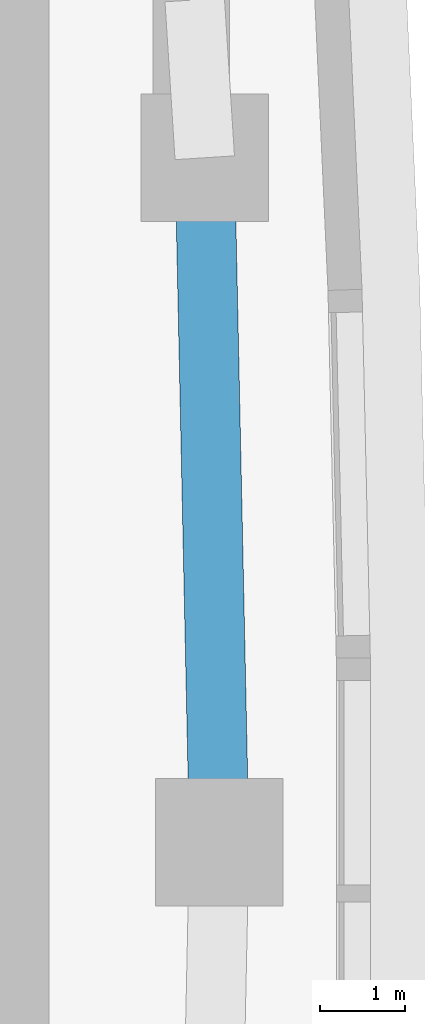
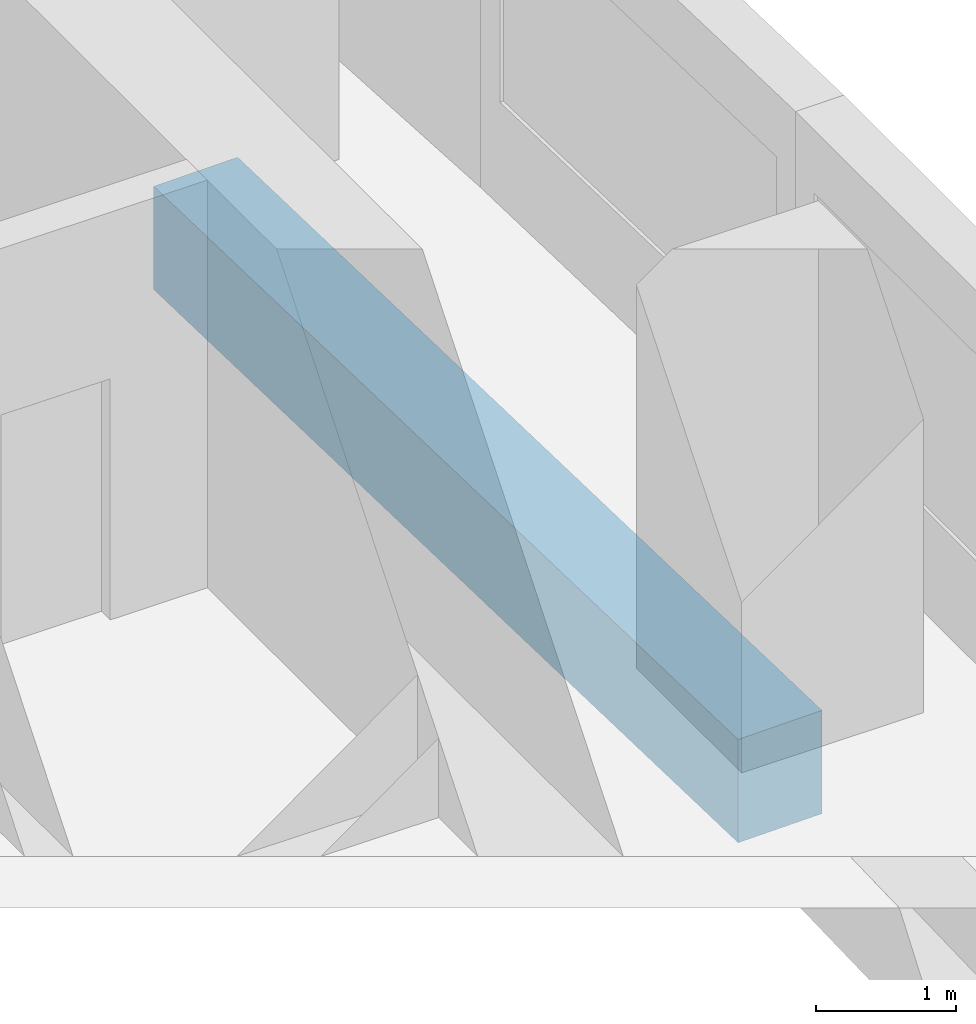
# One storey, part 4 of 17: 1 beam.
"""IFC4 building model written with IfcOpenShell, lengths in metres."""

from ifc_helpers import new_model, si_unit, direction, frame, origin, origin_2d, place, context, subcontext, project, spatial, rectangle, extrude, material, material_profile, profile_set, type_object, element, save


model = new_model("IFC4")

# Units and contexts
model_context = context("Model", 3, precision=1e-05, world=origin(), true_north=direction((0.0, 1.0)))
body_context = subcontext(model_context, "Body", "Model", "MODEL_VIEW")
ifc_project = project(units=[si_unit("LENGTHUNIT", "METRE"), si_unit("AREAUNIT", "SQUARE_METRE"), si_unit("VOLUMEUNIT", "CUBIC_METRE"), si_unit("PLANEANGLEUNIT", "RADIAN"), si_unit("MASSUNIT", "GRAM", prefix="KILO")], contexts=[model_context])

# Site, building, storey
site_placement = place(None, origin())
site = spatial("IfcSite", under=ifc_project, at=site_placement, CompositionType="ELEMENT")
building_placement = place(site_placement, origin())
building = spatial("IfcBuilding", under=site, at=building_placement, Name="Ostrand Prow Hotel Tower", CompositionType="ELEMENT")
storey_placement = place(building_placement, frame((0.0, 0.0, 158.60009765625)))
storey = spatial("IfcBuildingStorey", under=building, at=storey_placement, Name="L39", CompositionType="ELEMENT", Elevation=158.60009765625)

# Beam
ifc_material = material(Name="Concrete C70/85", Category="concrete")
ifc_material_profile = material_profile(ifc_material, rectangle(XDim=0.699951171875, YDim=0.89990234375, at=origin_2d()), Name="RC 700x900")
ifc_profile_set = profile_set([ifc_material_profile], Name="Concrete C70/85")
beam_type = type_object("IfcBeamType", Name="Edge beam 700x900 C70/85", PredefinedType="SPANDREL", material=ifc_profile_set)
beam_placement = place(storey_placement, frame((64.5, 0.0, -0.75), z_axis=(-0.021178217658, 0.999775716397, 0.0), x_axis=(-0.999775716397, -0.021178217658, 0.0)))
element("IfcBeam", 1, at=beam_placement, inside=storey, type_object=beam_type, Name="Edge beam B3-B4", PredefinedType="SPANDREL", context=body_context, shape_type="SweptSolid", body=[
    extrude(rectangle(XDim=0.699951171875, YDim=0.89990234375, at=origin_2d()), origin(), (0.0, 0.0, 1.0), 8.04638671875),
])

save(model, "model.ifc")
